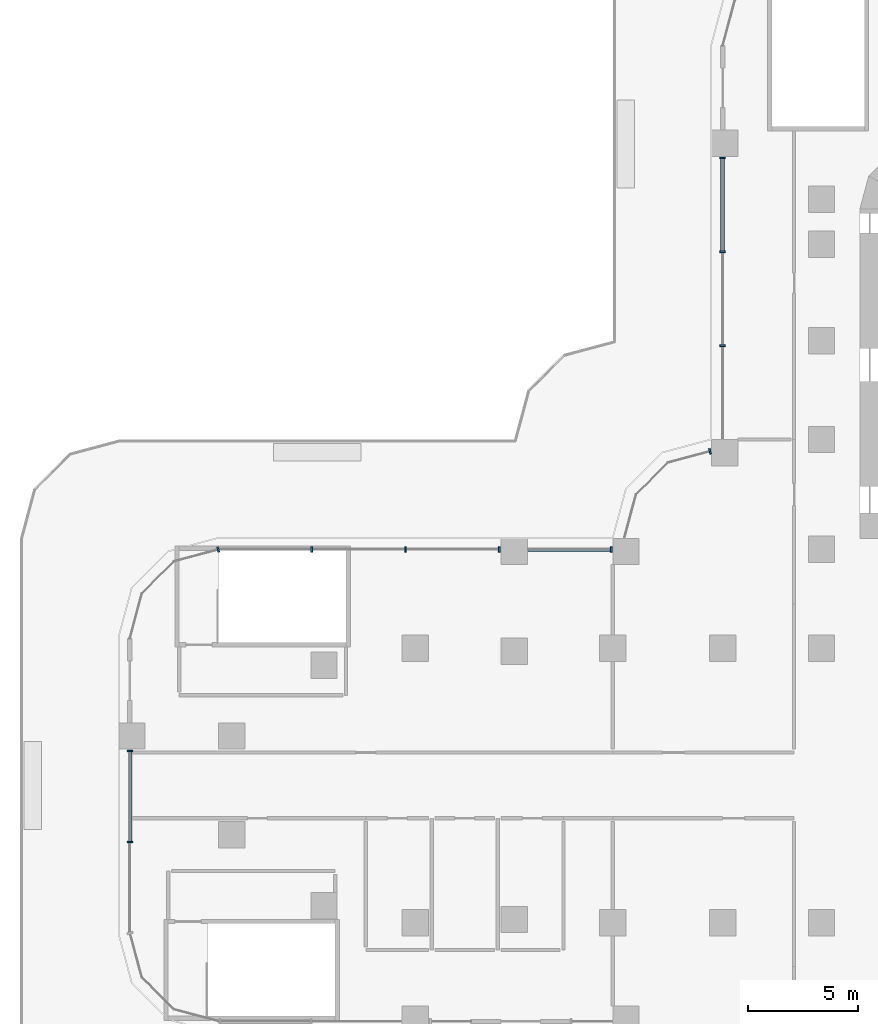
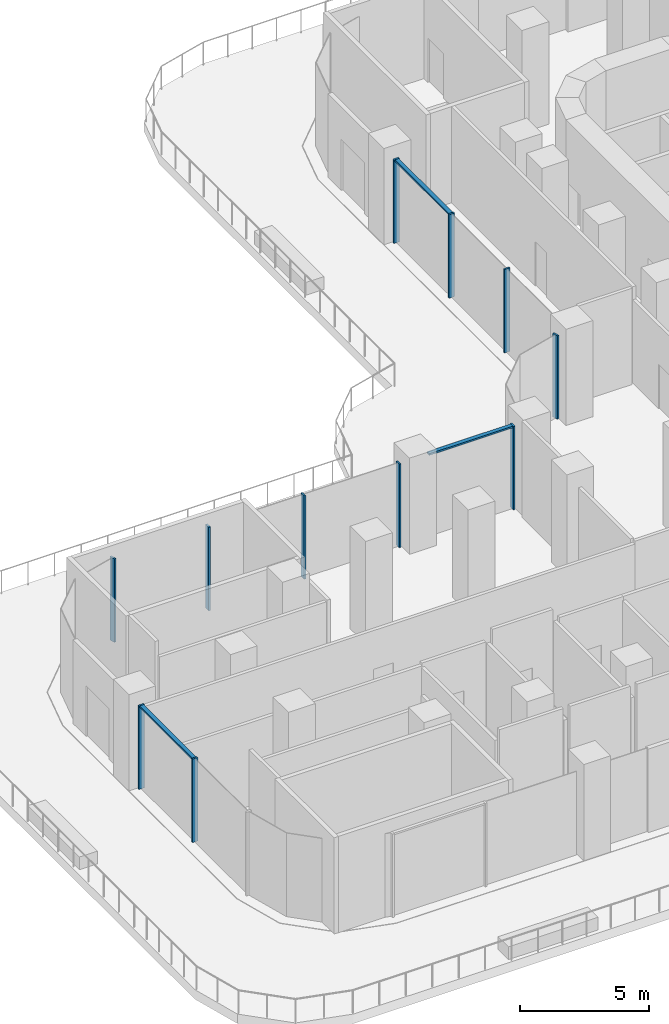
# One storey, part 6 of 21: 14 members, 5 elements without a shape of their own.
"""IFC4 building model written with IfcOpenShell, lengths in metres."""

from ifc_helpers import new_model, si_unit, direction, frame, origin, place, context, subcontext, project, spatial, polyline, outline, extrude, source, transform, mapped, material, type_object, element, aggregate, save


model = new_model("IFC4")

# Units and contexts
model_context = context("Model", 3, precision=1e-05, world=origin(), true_north=direction((0.0, 1.0)))
body_context = subcontext(model_context, "Body", "Model", "MODEL_VIEW")
ifc_project = project(units=[si_unit("LENGTHUNIT", "METRE"), si_unit("AREAUNIT", "SQUARE_METRE"), si_unit("VOLUMEUNIT", "CUBIC_METRE"), si_unit("PLANEANGLEUNIT", "RADIAN"), si_unit("MASSUNIT", "GRAM", prefix="KILO")], contexts=[model_context])

# Site, building, storey
site_placement = place(None, origin())
site = spatial("IfcSite", under=ifc_project, at=site_placement, CompositionType="ELEMENT")
building_placement = place(site_placement, origin())
building = spatial("IfcBuilding", under=site, at=building_placement, Name="Zarbagh Exchange Tower", CompositionType="ELEMENT")
storey_placement = place(building_placement, frame((0.0, 0.0, 22.0)))
storey = spatial("IfcBuildingStorey", under=building, at=storey_placement, Name="L04", CompositionType="ELEMENT", Elevation=22.0)

# Curtain wall, member
ifc_material_1 = material(Name="Anodised aluminium frame and glazing", Category="aluminium")
curtain_wall_type = type_object("IfcCurtainWallType", Name="CWC Podium garden-wall glazing", PredefinedType="NOTDEFINED", material=ifc_material_1)
curtain_wall_1_placement = place(storey_placement, origin())
curtain_wall_1 = element("IfcCurtainWall", 1, at=curtain_wall_1_placement, inside=storey, type_object=curtain_wall_type, Name="CWC215 curtain wall", PredefinedType="NOTDEFINED")
ifc_material_2 = material(Name="Anodised aluminium frame", Category="aluminium")
member_type_1 = type_object("IfcMemberType", Name="TRC Transom, anodised aluminium frame", PredefinedType="USERDEFINED", material=ifc_material_2)
shared_shape_1 = source(origin(), body_context, "Body", "SweptSolid", [
    extrude(outline(polyline([(-0.080078125, -0.090087890625), (0.0, -0.090087890625), (0.0, 0.090087890625), (-0.080078125, 0.090087890625), (-0.080078125, -0.090087890625)])), origin(), (0.0, 0.0, 1.0), 3.739990234375),
])
placement = place(storey_placement, origin())
member_1 = element("IfcMember", 2, at=placement, type_object=member_type_1, Name="CWC215 transom 1.1", ObjectType="TRANSOM", PredefinedType="USERDEFINED", context=body_context, shape_type="MappedRepresentation", body=[
    mapped(shared_shape_1, transform((-15.8701171875, 10.75, 3.949951171875), x_axis=(0.0, 0.0, 1.0), y_axis=(0.0, 1.0, 0.0), z_axis=(-1.0, 0.0, 0.0))),
])

curtain_wall_2_placement = place(storey_placement, origin())
curtain_wall_2 = element("IfcCurtainWall", 3, at=curtain_wall_2_placement, inside=storey, type_object=curtain_wall_type, Name="CWC211 curtain wall", PredefinedType="NOTDEFINED")
shared_shape_2 = source(origin(), body_context, "Body", "SweptSolid", [
    extrude(outline(polyline([(-0.080078125, -0.090087890625), (0.0, -0.090087890625), (0.0, 0.090087890625), (-0.080078125, 0.090087890625), (-0.080078125, -0.090087890625)])), origin(), (0.0, 0.0, 1.0), 4.193359375),
])
member_2 = element("IfcMember", 4, at=placement, type_object=member_type_1, Name="CWC211 transom 1.1", ObjectType="TRANSOM", PredefinedType="USERDEFINED", context=body_context, shape_type="MappedRepresentation", body=[
    mapped(shared_shape_2, transform((-10.75, 28.530029296875, 3.949951171875), x_axis=(0.0, 0.0, 1.0), y_axis=(-1.0, 0.0, 0.0), z_axis=(0.0, -1.0, 0.0))),
])

curtain_wall_3_placement = place(storey_placement, origin())
curtain_wall_3 = element("IfcCurtainWall", 5, at=curtain_wall_3_placement, inside=storey, type_object=curtain_wall_type, Name="CWC219 curtain wall", PredefinedType="NOTDEFINED")
shared_shape_3 = source(origin(), body_context, "Body", "SweptSolid", [
    extrude(outline(polyline([(-0.080078125, -0.090087890625), (0.0, -0.090087890625), (0.0, 0.090087890625), (-0.080078125, 0.090087890625), (-0.080078125, -0.090087890625)])), origin(), (0.0, 0.0, 1.0), 4.067138671875),
])
member_3 = element("IfcMember", 6, at=placement, type_object=member_type_1, Name="CWC219 transom 1.1", ObjectType="TRANSOM", PredefinedType="USERDEFINED", context=body_context, shape_type="MappedRepresentation", body=[
    mapped(shared_shape_3, transform((-37.75, 1.530029296875, 3.949951171875), x_axis=(0.0, 0.0, 1.0), y_axis=(-1.0, 0.0, 0.0), z_axis=(0.0, -1.0, 0.0))),
])

# Member
member_type_2 = type_object("IfcMemberType", Name="MUC Mullion, anodised aluminium frame", PredefinedType="MULLION", material=ifc_material_2)
shared_shape_4 = source(origin(), body_context, "Body", "SweptSolid", [
    extrude(outline(polyline([(0.0, -0.125), (0.080078125, -0.125), (0.080078125, 0.125), (0.0, 0.125), (0.0, -0.125)])), origin(), (0.0, 0.0, 1.0), 3.949951171875),
])
member_4 = element("IfcMember", 7, at=placement, type_object=member_type_2, Name="CWC211 mullion 1.1", PredefinedType="MULLION", context=body_context, shape_type="MappedRepresentation", body=[
    mapped(shared_shape_4, transform((-10.75, 28.60986328125, 0.0), x_axis=(0.0, -1.0, 0.0), y_axis=(1.0, 0.0, 0.0), z_axis=(0.0, 0.0, 1.0))),
])

member_5 = element("IfcMember", 8, at=placement, type_object=member_type_2, Name="CWC211 mullion 1.2", PredefinedType="MULLION", context=body_context, shape_type="MappedRepresentation", body=[
    mapped(shared_shape_4, transform((-10.75, 24.336669921875, 0.0), x_axis=(0.0, -1.0, 0.0), y_axis=(1.0, 0.0, 0.0), z_axis=(0.0, 0.0, 1.0))),
])

member_6 = element("IfcMember", 9, at=placement, type_object=member_type_2, Name="CWC211 mullion 1.3", PredefinedType="MULLION", context=body_context, shape_type="MappedRepresentation", body=[
    mapped(shared_shape_4, transform((-10.75, 20.063232421875, 0.0), x_axis=(0.0, -1.0, 0.0), y_axis=(1.0, 0.0, 0.0), z_axis=(0.0, 0.0, 1.0))),
])

aggregate(curtain_wall_2, [member_4, member_2, member_5, member_6])

# Curtain wall, member
curtain_wall_4_placement = place(storey_placement, origin())
curtain_wall_4 = element("IfcCurtainWall", 10, at=curtain_wall_4_placement, inside=storey, type_object=curtain_wall_type, Name="CWC212 curtain wall", PredefinedType="NOTDEFINED")
member_7 = element("IfcMember", 11, at=placement, type_object=member_type_2, Name="CWC212 mullion 1.1", PredefinedType="MULLION", context=body_context, shape_type="MappedRepresentation", body=[
    mapped(shared_shape_4, transform((-11.2900390625, 15.2216796875, 0.0), x_axis=(-0.965924289636, -0.258824779902, 0.0), y_axis=(0.258824779902, -0.965924289636, 0.0), z_axis=(0.0, 0.0, 1.0))),
])
aggregate(curtain_wall_4, [member_7])

# Member
member_8 = element("IfcMember", 12, at=placement, type_object=member_type_2, Name="CWC215 mullion 1.1", PredefinedType="MULLION", context=body_context, shape_type="MappedRepresentation", body=[
    mapped(shared_shape_4, transform((-15.7900390625, 10.75, 0.0), x_axis=(-1.0, 0.0, 0.0), y_axis=(0.0, -1.0, 0.0), z_axis=(0.0, 0.0, 1.0))),
])

member_9 = element("IfcMember", 13, at=placement, type_object=member_type_2, Name="CWC215 mullion 2.1", PredefinedType="MULLION", context=body_context, shape_type="MappedRepresentation", body=[
    mapped(shared_shape_4, transform((-20.89013671875, 10.75, 0.0), x_axis=(-1.0, 0.0, 0.0), y_axis=(0.0, -1.0, 0.0), z_axis=(0.0, 0.0, 1.0))),
])

member_10 = element("IfcMember", 14, at=placement, type_object=member_type_2, Name="CWC215 mullion 2.2", PredefinedType="MULLION", context=body_context, shape_type="MappedRepresentation", body=[
    mapped(shared_shape_4, transform((-25.15478515625, 10.75, 0.0), x_axis=(-1.0, 0.0, 0.0), y_axis=(0.0, -1.0, 0.0), z_axis=(0.0, 0.0, 1.0))),
])

member_11 = element("IfcMember", 15, at=placement, type_object=member_type_2, Name="CWC215 mullion 2.3", PredefinedType="MULLION", context=body_context, shape_type="MappedRepresentation", body=[
    mapped(shared_shape_4, transform((-29.41943359375, 10.75, 0.0), x_axis=(-1.0, 0.0, 0.0), y_axis=(0.0, -1.0, 0.0), z_axis=(0.0, 0.0, 1.0))),
])

aggregate(curtain_wall_1, [member_8, member_1, member_9, member_10, member_11])

# Curtain wall, member
curtain_wall_5_placement = place(storey_placement, origin())
curtain_wall_5 = element("IfcCurtainWall", 16, at=curtain_wall_5_placement, inside=storey, type_object=curtain_wall_type, Name="CWC216 curtain wall", PredefinedType="NOTDEFINED")
member_12 = element("IfcMember", 17, at=placement, type_object=member_type_2, Name="CWC216 mullion 1.1", PredefinedType="MULLION", context=body_context, shape_type="MappedRepresentation", body=[
    mapped(shared_shape_4, transform((-33.68408203125, 10.75, 0.0), x_axis=(-0.965924289636, -0.258824779902, 0.0), y_axis=(0.258824779902, -0.965924289636, 0.0), z_axis=(0.0, 0.0, 1.0))),
])
aggregate(curtain_wall_5, [member_12])

# Member
member_13 = element("IfcMember", 18, at=placement, type_object=member_type_2, Name="CWC219 mullion 1.1", PredefinedType="MULLION", context=body_context, shape_type="MappedRepresentation", body=[
    mapped(shared_shape_4, transform((-37.75, 1.60986328125, 0.0), x_axis=(0.0, -1.0, 0.0), y_axis=(1.0, 0.0, 0.0), z_axis=(0.0, 0.0, 1.0))),
])

member_14 = element("IfcMember", 19, at=placement, type_object=member_type_2, Name="CWC219 mullion 1.2", PredefinedType="MULLION", context=body_context, shape_type="MappedRepresentation", body=[
    mapped(shared_shape_4, transform((-37.75, -2.537109375, 0.0), x_axis=(0.0, -1.0, 0.0), y_axis=(1.0, 0.0, 0.0), z_axis=(0.0, 0.0, 1.0))),
])

aggregate(curtain_wall_3, [member_13, member_3, member_14])

save(model, "model.ifc")
